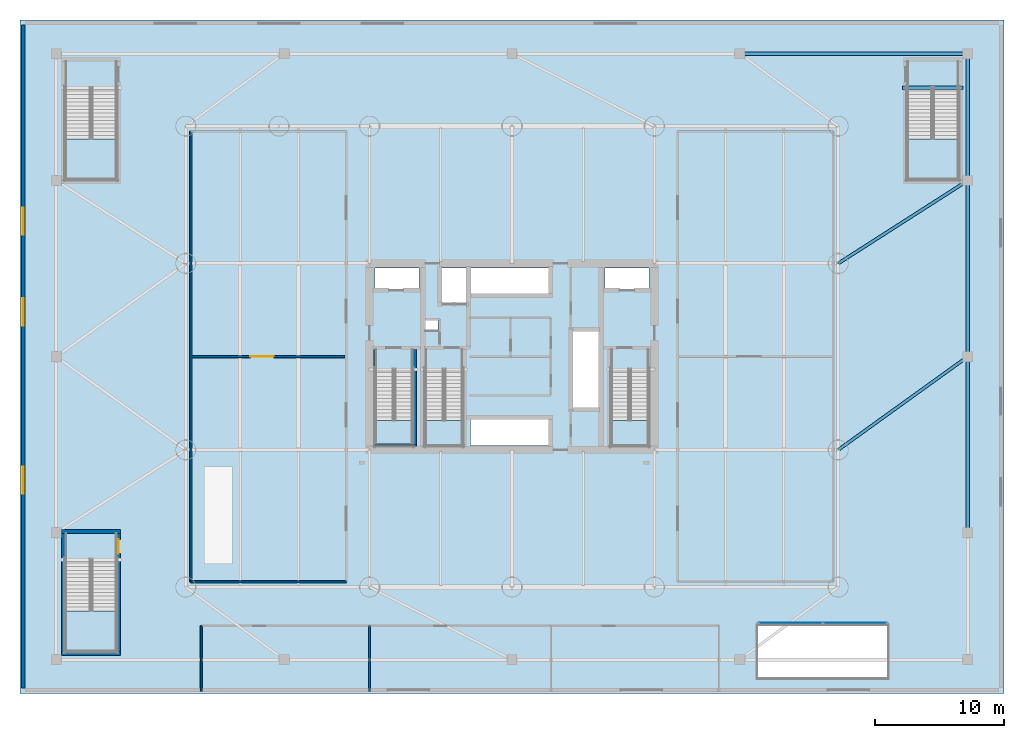
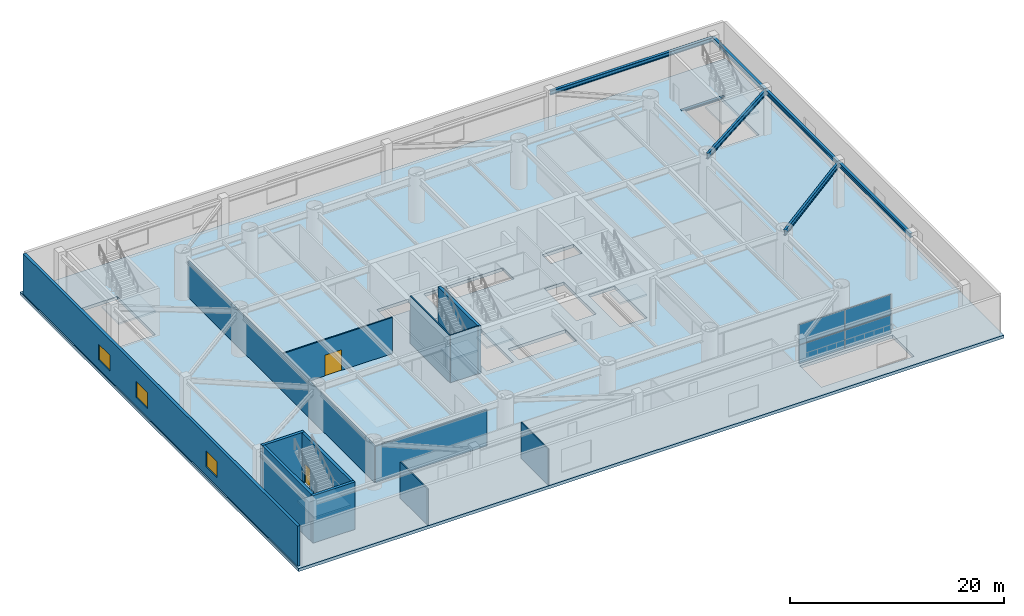
# One storey, part 5 of 16: 13 walls, 7 beams, 7 slabs, 4 plates, 3 windows, 2 doors, 5 openings, 7 elements without a shape of their own.
"""IFC4 building model written with IfcOpenShell, lengths in metres."""

from ifc_helpers import new_model, si_unit, direction, frame, frame_2d, origin, origin_2d, place, context, subcontext, project, spatial, polyline, rectangle, i_section, outline, extrude, material, layer, layer_set, material_profile, profile_set, type_object, element, fill, aggregate, save


model = new_model("IFC4")

# Units and contexts
model_context = context("Model", 3, precision=1e-05, world=origin(), true_north=direction((0.0, 1.0)))
body_context = subcontext(model_context, "Body", "Model", "MODEL_VIEW")
ifc_project = project(units=[si_unit("LENGTHUNIT", "METRE"), si_unit("AREAUNIT", "SQUARE_METRE"), si_unit("VOLUMEUNIT", "CUBIC_METRE"), si_unit("PLANEANGLEUNIT", "RADIAN"), si_unit("MASSUNIT", "GRAM", prefix="KILO")], contexts=[model_context])

# Site, building, storey
site_placement = place(None, origin())
site = spatial("IfcSite", under=ifc_project, at=site_placement, CompositionType="ELEMENT")
building_placement = place(site_placement, origin())
building = spatial("IfcBuilding", under=site, at=building_placement, Name="Bramvorn Convention Spire", CompositionType="ELEMENT")
storey_placement = place(building_placement, frame((0.0, 0.0, 6.60009765625)))
storey = spatial("IfcBuildingStorey", under=building, at=storey_placement, Name="L01", CompositionType="ELEMENT", Elevation=6.60009765625)

# Beams
ifc_material_1 = material(Name="Steel CSA G40.21 Grade 350 (350W)", Category="steel")
ifc_material_profile_1 = material_profile(ifc_material_1, i_section(OverallWidth=0.25390625, OverallDepth=0.2529296875, WebThickness=0.008544921875, FlangeThickness=0.01416015625, FilletRadius=0.011962890625, at=origin_2d()))
ifc_profile_set_1 = profile_set([ifc_material_profile_1], Name="Steel CSA G40.21 Grade 350 (350W) - W250X73")
beam_type_1 = type_object("IfcBeamType", Name="BM-W250X73", PredefinedType="BEAM", material=ifc_profile_set_1)
beam_1_placement = place(storey_placement, frame((68.169921875, 46.760009765625, -0.126708984375), z_axis=(1.0, 0.0, 0.0), x_axis=(0.0, 1.0, 0.0)))
element("IfcBeam", 1, at=beam_1_placement, inside=storey, type_object=beam_type_1, Name="L01 ST5 stair arrival header beam", PredefinedType="BEAM", context=body_context, shape_type="SweptSolid", body=[
    extrude(i_section(OverallWidth=0.25390625, OverallDepth=0.2529296875, WebThickness=0.008544921875, FlangeThickness=0.01416015625, FilletRadius=0.011962890625, at=origin_2d()), origin(), (0.0, 0.0, 1.0), 4.68017578125),
])
ifc_material_profile_2 = material_profile(ifc_material_1, i_section(OverallWidth=0.283935546875, OverallDepth=0.47607421875, WebThickness=0.014892578125, FlangeThickness=0.02392578125, FilletRadius=0.01806640625, at=origin_2d()))
ifc_profile_set_2 = profile_set([ifc_material_profile_2], Name="Steel CSA G40.21 Grade 350 (350W) - W460X158")
beam_type_2 = type_object("IfcBeamType", Name="BM-W460X158", PredefinedType="SPANDREL", material=ifc_profile_set_2)
for number, where, z_axis, x_axis, name in (
    (2, (73.199951171875, 12.39990234375, 4.81201171875), (0.0, 1.0, 0.0), (-1.0, 0.0, 0.0), "L01 podium spandrel beam 06"),
    (3, (73.199951171875, 26.0, 4.81201171875), (0.0, 1.0, 0.0), (-1.0, 0.0, 0.0), "L01 podium spandrel beam 07"),
):
    element("IfcBeam", number, at=place(storey_placement, frame(where, z_axis=z_axis, x_axis=x_axis)), inside=storey, type_object=beam_type_2, Name=name, PredefinedType="SPANDREL", context=body_context, shape_type="SweptSolid", body=[
        extrude(i_section(OverallWidth=0.283935546875, OverallDepth=0.47607421875, WebThickness=0.014892578125, FlangeThickness=0.02392578125, FilletRadius=0.01806640625, at=origin_2d()), origin(), (0.0, 0.0, 1.0), 13.60009765625),
    ])
beam_2_placement = place(storey_placement, frame((73.199951171875, 39.60009765625, 4.81201171875), z_axis=(0.0, 1.0, 0.0), x_axis=(-1.0, 0.0, 0.0)))
element("IfcBeam", 4, at=beam_2_placement, inside=storey, type_object=beam_type_2, Name="L01 podium spandrel beam 08", PredefinedType="SPANDREL", context=body_context, shape_type="SweptSolid", body=[
    extrude(i_section(OverallWidth=0.283935546875, OverallDepth=0.47607421875, WebThickness=0.014892578125, FlangeThickness=0.02392578125, FilletRadius=0.01806640625, at=origin_2d()), origin(), (0.0, 0.0, 1.0), 9.7998046875),
])
beam_3_placement = place(storey_placement, frame((73.199951171875, 49.39990234375, 4.81201171875), z_axis=(-1.0, 0.0, 0.0), x_axis=(0.0, -1.0, 0.0)))
element("IfcBeam", 5, at=beam_3_placement, inside=storey, type_object=beam_type_2, Name="L01 podium spandrel beam 09", PredefinedType="SPANDREL", context=body_context, shape_type="SweptSolid", body=[
    extrude(i_section(OverallWidth=0.283935546875, OverallDepth=0.47607421875, WebThickness=0.014892578125, FlangeThickness=0.02392578125, FilletRadius=0.01806640625, at=origin_2d()), origin(), (0.0, 0.0, 1.0), 17.599853515625),
])
ifc_material_profile_3 = material_profile(ifc_material_1, i_section(OverallWidth=0.22998046875, OverallDepth=0.616943359375, WebThickness=0.01318359375, FlangeThickness=0.022216796875, FilletRadius=0.02001953125, at=origin_2d()))
ifc_profile_set_3 = profile_set([ifc_material_profile_3], Name="Steel CSA G40.21 Grade 350 (350W) - W610X140")
beam_type_3 = type_object("IfcBeamType", Name="BM-W610X140", PredefinedType="BEAM", material=ifc_profile_set_3)
beam_4_placement = place(storey_placement, frame((63.199951171875, 18.800048828125, 4.741455078125), z_axis=(0.811536220436, 0.584302116135, 0.0), x_axis=(-0.584302116135, 0.811536220436, 0.0)))
element("IfcBeam", 6, at=beam_4_placement, inside=storey, type_object=beam_type_3, Name="L01 podium east bay girder 1", PredefinedType="BEAM", context=body_context, shape_type="SweptSolid", body=[
    extrude(i_section(OverallWidth=0.22998046875, OverallDepth=0.616943359375, WebThickness=0.01318359375, FlangeThickness=0.022216796875, FilletRadius=0.02001953125, at=origin_2d()), origin(), (0.0, 0.0, 1.0), 12.322265625),
])
beam_5_placement = place(storey_placement, frame((63.199951171875, 33.199951171875, 4.741455078125), z_axis=(0.842265798855, 0.539062449145, 0.0), x_axis=(-0.539062449145, 0.842265798855, 0.0)))
element("IfcBeam", 7, at=beam_5_placement, inside=storey, type_object=beam_type_3, Name="L01 podium east bay girder 2", PredefinedType="BEAM", context=body_context, shape_type="SweptSolid", body=[
    extrude(i_section(OverallWidth=0.22998046875, OverallDepth=0.616943359375, WebThickness=0.01318359375, FlangeThickness=0.022216796875, FilletRadius=0.02001953125, at=origin_2d()), origin(), (0.0, 0.0, 1.0), 11.872802734375),
])

# Curtain wall, plates
ifc_material_2 = material(Name="Anodised Bronze Unitised Curtain Wall", Category="aluminium")
ifc_layer_1 = layer(ifc_material_2, 0.219970703125)
ifc_layer_set_1 = layer_set([ifc_layer_1], Name="Anodised Bronze Unitised Curtain Wall - CW-POD-LANCET")
curtain_wall_type = type_object("IfcCurtainWallType", Name="CW-POD-LANCET", PredefinedType="USERDEFINED", material=ifc_layer_set_1)
curtain_wall_placement = place(storey_placement, origin())
curtain_wall = element("IfcCurtainWall", 8, at=curtain_wall_placement, inside=storey, type_object=curtain_wall_type, Name="L01 SE colonnade lancet curtain wall", ObjectType="UNITISED CURTAIN WALL", PredefinedType="USERDEFINED")
ifc_material_3 = material(Name="Laminated Low-E Glass (Acoustic Laminated Podium Triple IGU)", Category="glass")
ifc_layer_2 = layer(ifc_material_3, 0.0458984375)
ifc_layer_set_2 = layer_set([ifc_layer_2], Name="Laminated Low-E Glass (Acoustic Laminated Podium Triple IGU) - PNL-IGU-5")
plate_type = type_object("IfcPlateType", Name="PNL-IGU-5", PredefinedType="CURTAIN_PANEL", material=ifc_layer_set_2)
plate_1_placement = place(storey_placement, frame((59.514892578125, 5.449951171875, 0.06005859375), z_axis=(0.0, 0.0, 1.0), x_axis=(1.0, 0.0, 0.0)))
plate_1 = element("IfcPlate", 9, at=plate_1_placement, type_object=plate_type, Name="CW1 panel 1.1", PredefinedType="CURTAIN_PANEL", context=body_context, shape_type="SweptSolid", body=[
    extrude(rectangle(XDim=4.909912109375, YDim=0.028076171875, at=origin_2d()), origin(), (0.0, 0.0, 1.0), 2.110107421875),
])
plate_2_placement = place(storey_placement, frame((59.514892578125, 5.449951171875, 2.22998046875), z_axis=(0.0, 0.0, 1.0), x_axis=(1.0, 0.0, 0.0)))
plate_2 = element("IfcPlate", 10, at=plate_2_placement, type_object=plate_type, Name="CW1 panel 1.2", PredefinedType="CURTAIN_PANEL", context=body_context, shape_type="SweptSolid", body=[
    extrude(rectangle(XDim=4.909912109375, YDim=0.028076171875, at=origin_2d()), origin(), (0.0, 0.0, 1.0), 2.27001953125),
])
plate_3_placement = place(storey_placement, frame((64.485107421875, 5.449951171875, 0.06005859375), z_axis=(0.0, 0.0, 1.0), x_axis=(1.0, 0.0, 0.0)))
plate_3 = element("IfcPlate", 11, at=plate_3_placement, type_object=plate_type, Name="CW1 panel 2.1", PredefinedType="CURTAIN_PANEL", context=body_context, shape_type="SweptSolid", body=[
    extrude(rectangle(XDim=4.909912109375, YDim=0.028076171875, at=origin_2d()), origin(), (0.0, 0.0, 1.0), 2.110107421875),
])
plate_4_placement = place(storey_placement, frame((64.485107421875, 5.449951171875, 2.22998046875), z_axis=(0.0, 0.0, 1.0), x_axis=(1.0, 0.0, 0.0)))
plate_4 = element("IfcPlate", 12, at=plate_4_placement, type_object=plate_type, Name="CW1 panel 2.2", PredefinedType="CURTAIN_PANEL", context=body_context, shape_type="SweptSolid", body=[
    extrude(rectangle(XDim=4.909912109375, YDim=0.028076171875, at=origin_2d()), origin(), (0.0, 0.0, 1.0), 2.27001953125),
])
aggregate(curtain_wall, [plate_1, plate_2, plate_3, plate_4])

# Slab
ifc_material_4 = material(Name="Concrete C50/60", Category="concrete")
ifc_layer_3 = layer(ifc_material_4, 0.35009765625)
ifc_layer_set_3 = layer_set([ifc_layer_3], Name="Concrete C50/60 - SLB-POD-350")
slab_type_1 = type_object("IfcSlabType", Name="SLB-POD-350", PredefinedType="FLOOR", material=ifc_layer_set_3)
slab_1_placement = place(storey_placement, frame((0.0, 0.0, -0.35009765625)))
element("IfcSlab", 13, at=slab_1_placement, inside=storey, type_object=slab_type_1, Name="L01 podium composite floor slab", PredefinedType="FLOOR", context=body_context, shape_type="SweptSolid", body=[
    extrude(outline(polyline([(0.0, 0.0), (76.0, 0.0), (76.0, 52.0), (0.0, 52.0), (0.0, 0.0)]), holes=[polyline([(27.449951171875, 25.050048828125), (27.449951171875, 19.10009765625), (30.35009765625, 19.10009765625), (30.35009765625, 25.050048828125), (27.449951171875, 25.050048828125)]), polyline([(45.64990234375, 25.050048828125), (45.64990234375, 19.10009765625), (48.550048828125, 19.10009765625), (48.550048828125, 25.050048828125), (45.64990234375, 25.050048828125)]), polyline([(31.300048828125, 25.050048828125), (31.300048828125, 19.10009765625), (34.199951171875, 19.10009765625), (34.199951171875, 25.050048828125), (31.300048828125, 25.050048828125)]), polyline([(3.5, 10.35009765625), (3.5, 3.199951171875), (7.47998046875, 3.199951171875), (7.47998046875, 10.35009765625), (3.5, 10.35009765625)]), polyline([(68.52001953125, 46.800048828125), (68.52001953125, 39.64990234375), (72.5, 39.64990234375), (72.5, 46.800048828125), (68.52001953125, 46.800048828125)]), polyline([(3.5, 46.800048828125), (3.5, 39.64990234375), (7.47998046875, 39.64990234375), (7.47998046875, 46.800048828125), (3.5, 46.800048828125)]), polyline([(27.39990234375, 31.219970703125), (30.800048828125, 31.219970703125), (30.800048828125, 32.85009765625), (27.39990234375, 32.85009765625), (27.39990234375, 31.219970703125)]), polyline([(45.199951171875, 31.219970703125), (48.60009765625, 31.219970703125), (48.60009765625, 32.85009765625), (45.199951171875, 32.85009765625), (45.199951171875, 31.219970703125)]), polyline([(32.449951171875, 30.14990234375), (34.56005859375, 30.14990234375), (34.56005859375, 32.85009765625), (32.449951171875, 32.85009765625), (32.449951171875, 30.14990234375)]), polyline([(34.800048828125, 30.800048828125), (40.97998046875, 30.800048828125), (40.97998046875, 32.85009765625), (34.800048828125, 32.85009765625), (34.800048828125, 30.800048828125)]), polyline([(34.800048828125, 19.14990234375), (40.97998046875, 19.14990234375), (40.97998046875, 21.199951171875), (34.800048828125, 21.199951171875), (34.800048828125, 19.14990234375)]), polyline([(42.6201171875, 22.0), (44.75, 22.0), (44.75, 28.0), (42.6201171875, 28.0), (42.6201171875, 22.0)]), polyline([(31.320068359375, 28.02001953125), (32.280029296875, 28.02001953125), (32.280029296875, 28.820068359375), (31.320068359375, 28.820068359375), (31.320068359375, 28.02001953125)]), polyline([(57.0, 1.199951171875), (67.0, 1.199951171875), (67.0, 5.199951171875), (57.0, 5.199951171875), (57.0, 1.199951171875)])]), origin(), (0.0, 0.0, 1.0), 0.35009765625),
])

# Stair, slab
ifc_material_5 = material(Name="Concrete C40/50 Precast Stair", Category="concrete")
stair_type_1 = type_object("IfcStairType", Name="ST-TOWER-1550", PredefinedType="HALF_TURN_STAIR", material=ifc_material_5)
stair_1_placement = place(storey_placement, origin())
stair_1 = element("IfcStair", 14, at=stair_1_placement, inside=storey, type_object=stair_type_1, Name="L01 Protected Exit Stair ST1", PredefinedType="HALF_TURN_STAIR")
ifc_material_6 = material(Name="Concrete C40/50 Stair Landing", Category="concrete")
ifc_layer_4 = layer(ifc_material_6, 0.219970703125)
ifc_layer_set_4 = layer_set([ifc_layer_4], Name="Concrete C40/50 Stair Landing - SLB-STAIR-LANDING")
slab_type_2 = type_object("IfcSlabType", Name="SLB-STAIR-LANDING", PredefinedType="LANDING", material=ifc_layer_set_4)
slab_2_placement = place(storey_placement, frame((0.0, 0.0, 2.5)))
slab_2 = element("IfcSlab", 15, at=slab_2_placement, type_object=slab_type_2, Name="ST1 landing 1", PredefinedType="LANDING", context=body_context, shape_type="SweptSolid", body=[
    extrude(outline(polyline([(27.449951171875, 21.06005859375), (27.449951171875, 19.10009765625), (30.35009765625, 19.10009765625), (30.35009765625, 21.06005859375), (27.449951171875, 21.06005859375)])), origin(), (0.0, 0.0, 1.0), 0.199951171875),
])
aggregate(stair_1, [slab_2])

stair_2_placement = place(storey_placement, origin())
stair_2 = element("IfcStair", 16, at=stair_2_placement, inside=storey, type_object=stair_type_1, Name="L01 Protected Exit Stair ST2", PredefinedType="HALF_TURN_STAIR")
slab_3_placement = place(storey_placement, frame((0.0, 0.0, 2.5)))
slab_3 = element("IfcSlab", 17, at=slab_3_placement, type_object=slab_type_2, Name="ST2 landing 1", PredefinedType="LANDING", context=body_context, shape_type="SweptSolid", body=[
    extrude(outline(polyline([(45.64990234375, 21.06005859375), (45.64990234375, 19.10009765625), (48.550048828125, 19.10009765625), (48.550048828125, 21.06005859375), (45.64990234375, 21.06005859375)])), origin(), (0.0, 0.0, 1.0), 0.199951171875),
])
aggregate(stair_2, [slab_3])

stair_3_placement = place(storey_placement, origin())
stair_3 = element("IfcStair", 18, at=stair_3_placement, inside=storey, type_object=stair_type_1, Name="L01 Protected Exit Stair ST3", PredefinedType="HALF_TURN_STAIR")
slab_4_placement = place(storey_placement, frame((0.0, 0.0, 2.5)))
slab_4 = element("IfcSlab", 19, at=slab_4_placement, type_object=slab_type_2, Name="ST3 landing 1", PredefinedType="LANDING", context=body_context, shape_type="SweptSolid", body=[
    extrude(outline(polyline([(31.300048828125, 21.06005859375), (31.300048828125, 19.10009765625), (34.199951171875, 19.10009765625), (34.199951171875, 21.06005859375), (31.300048828125, 21.06005859375)])), origin(), (0.0, 0.0, 1.0), 0.199951171875),
])
aggregate(stair_3, [slab_4])

ifc_material_7 = material(Name="Concrete C40/50 Grand Exit Stair", Category="concrete")
stair_type_2 = type_object("IfcStairType", Name="ST-PODIUM-1950", PredefinedType="HALF_TURN_STAIR", material=ifc_material_7)
stair_4_placement = place(storey_placement, origin())
stair_4 = element("IfcStair", 20, at=stair_4_placement, inside=storey, type_object=stair_type_2, Name="L01 Protected Exit Stair ST4", PredefinedType="HALF_TURN_STAIR")
slab_5_placement = place(storey_placement, frame((0.0, 0.0, 2.5)))
slab_5 = element("IfcSlab", 21, at=slab_5_placement, type_object=slab_type_2, Name="ST4 landing 1", PredefinedType="LANDING", context=body_context, shape_type="SweptSolid", body=[
    extrude(outline(polyline([(3.5, 6.360107421875), (3.5, 3.199951171875), (7.47998046875, 3.199951171875), (7.47998046875, 6.360107421875), (3.5, 6.360107421875)])), origin(), (0.0, 0.0, 1.0), 0.199951171875),
])
aggregate(stair_4, [slab_5])

stair_5_placement = place(storey_placement, origin())
stair_5 = element("IfcStair", 22, at=stair_5_placement, inside=storey, type_object=stair_type_2, Name="L01 Protected Exit Stair ST5", PredefinedType="HALF_TURN_STAIR")
slab_6_placement = place(storey_placement, frame((0.0, 0.0, 2.5)))
slab_6 = element("IfcSlab", 23, at=slab_6_placement, type_object=slab_type_2, Name="ST5 landing 1", PredefinedType="LANDING", context=body_context, shape_type="SweptSolid", body=[
    extrude(outline(polyline([(68.52001953125, 42.81005859375), (68.52001953125, 39.64990234375), (72.5, 39.64990234375), (72.5, 42.81005859375), (68.52001953125, 42.81005859375)])), origin(), (0.0, 0.0, 1.0), 0.199951171875),
])
aggregate(stair_5, [slab_6])

stair_6_placement = place(storey_placement, origin())
stair_6 = element("IfcStair", 24, at=stair_6_placement, inside=storey, type_object=stair_type_2, Name="L01 Protected Exit Stair ST6", PredefinedType="HALF_TURN_STAIR")
slab_7_placement = place(storey_placement, frame((0.0, 0.0, 2.5)))
slab_7 = element("IfcSlab", 25, at=slab_7_placement, type_object=slab_type_2, Name="ST6 landing 1", PredefinedType="LANDING", context=body_context, shape_type="SweptSolid", body=[
    extrude(outline(polyline([(3.5, 42.81005859375), (3.5, 39.64990234375), (7.47998046875, 39.64990234375), (7.47998046875, 42.81005859375), (3.5, 42.81005859375)])), origin(), (0.0, 0.0, 1.0), 0.199951171875),
])
aggregate(stair_6, [slab_7])

# Wall, openings, windows
ifc_material_8 = material(Name="Precast Concrete C40/50 with Bronze Terracotta Rainscreen", Category="masonry")
ifc_layer_5 = layer(ifc_material_8, 0.300048828125)
ifc_layer_set_5 = layer_set([ifc_layer_5], Name="Precast Concrete C40/50 with Bronze Terracotta Rainscreen - WL-EXT-BRONZE-300")
wall_type_1 = type_object("IfcWallType", Name="WL-EXT-BRONZE-300", PredefinedType="SOLIDWALL", material=ifc_layer_set_5)
wall_1_placement = place(storey_placement, frame((0.25, 0.39990234375, 0.0), z_axis=(0.0, 0.0, 1.0), x_axis=(0.0, 1.0, 0.0)))
wall_1 = element("IfcWall", 26, at=wall_1_placement, inside=storey, type_object=wall_type_1, Name="L01 West podium bronze facade wall", PredefinedType="SOLIDWALL", context=body_context, shape_type="SweptSolid", body=[
    extrude(rectangle(XDim=51.2001953125, YDim=0.300048828125, at=frame_2d((25.60009765625, 0.0))), origin(), (0.0, 0.0, 1.0), 4.559814453125),
])
opening_1_placement = place(wall_1_placement, frame((15.0, 0.0, 1.0)))
opening_1 = element("IfcOpeningElement", 27, at=opening_1_placement, cuts=wall_1, Name="Opening WN04", PredefinedType="OPENING", context=body_context, shape_type="SweptSolid", body=[
    extrude(rectangle(XDim=2.10009765625, YDim=1.800048828125, at=frame_2d((1.050048828125, 0.89990234375))), frame((0.0, 0.159912109375, 0.0), z_axis=(0.0, -1.0, 0.0), x_axis=(1.0, 0.0, 0.0)), (0.0, 0.0, 1.0), 0.320068359375),
])
opening_2_placement = place(wall_1_placement, frame((28.0, 0.0, 1.0)))
opening_2 = element("IfcOpeningElement", 28, at=opening_2_placement, cuts=wall_1, Name="Opening WN04", PredefinedType="OPENING", context=body_context, shape_type="SweptSolid", body=[
    extrude(rectangle(XDim=2.10009765625, YDim=1.800048828125, at=frame_2d((1.050048828125, 0.89990234375))), frame((0.0, 0.159912109375, 0.0), z_axis=(0.0, -1.0, 0.0), x_axis=(1.0, 0.0, 0.0)), (0.0, 0.0, 1.0), 0.320068359375),
])
opening_3_placement = place(wall_1_placement, frame((35.0, 0.0, 1.0)))
opening_3 = element("IfcOpeningElement", 29, at=opening_3_placement, cuts=wall_1, Name="Opening WN04", PredefinedType="OPENING", context=body_context, shape_type="SweptSolid", body=[
    extrude(rectangle(XDim=2.10009765625, YDim=1.800048828125, at=frame_2d((1.050048828125, 0.89990234375))), frame((0.0, 0.159912109375, 0.0), z_axis=(0.0, -1.0, 0.0), x_axis=(1.0, 0.0, 0.0)), (0.0, 0.0, 1.0), 0.320068359375),
])
ifc_material_9 = material(Name="Thermally Broken Bronze Aluminium & Triple Low-E Glass", Category="aluminium")
window_type = type_object("IfcWindowType", Name="WN-OP-2100X1800", PartitioningType="SINGLE_PANEL", PredefinedType="WINDOW", material=ifc_material_9)
window_1_placement = place(opening_1_placement, origin())
window_1 = element("IfcWindow", 30, at=window_1_placement, inside=storey, type_object=window_type, Name="L01 West operable window 1", OverallHeight=1.800048828125, OverallWidth=2.10009765625, PartitioningType="SINGLE_PANEL", PredefinedType="WINDOW", context=body_context, shape_type="SweptSolid", body=[
    extrude(rectangle(XDim=2.10009765625, YDim=1.800048828125, at=frame_2d((1.050048828125, 0.89990234375))), frame((0.0, 0.030029296875, 0.0), z_axis=(0.0, -1.0, 0.0), x_axis=(1.0, 0.0, 0.0)), (0.0, 0.0, 1.0), 0.06005859375),
])
fill(opening_1, window_1)
window_2_placement = place(opening_2_placement, origin())
window_2 = element("IfcWindow", 31, at=window_2_placement, inside=storey, type_object=window_type, Name="L01 West operable window 2", OverallHeight=1.800048828125, OverallWidth=2.10009765625, PartitioningType="SINGLE_PANEL", PredefinedType="WINDOW", context=body_context, shape_type="SweptSolid", body=[
    extrude(rectangle(XDim=2.10009765625, YDim=1.800048828125, at=frame_2d((1.050048828125, 0.89990234375))), frame((0.0, 0.030029296875, 0.0), z_axis=(0.0, -1.0, 0.0), x_axis=(1.0, 0.0, 0.0)), (0.0, 0.0, 1.0), 0.06005859375),
])
fill(opening_2, window_2)
window_3_placement = place(opening_3_placement, origin())
window_3 = element("IfcWindow", 32, at=window_3_placement, inside=storey, type_object=window_type, Name="L01 West operable window 3", OverallHeight=1.800048828125, OverallWidth=2.10009765625, PartitioningType="SINGLE_PANEL", PredefinedType="WINDOW", context=body_context, shape_type="SweptSolid", body=[
    extrude(rectangle(XDim=2.10009765625, YDim=1.800048828125, at=frame_2d((1.050048828125, 0.89990234375))), frame((0.0, 0.030029296875, 0.0), z_axis=(0.0, -1.0, 0.0), x_axis=(1.0, 0.0, 0.0)), (0.0, 0.0, 1.0), 0.06005859375),
])
fill(opening_3, window_3)

# Wall, opening, door
ifc_material_10 = material(Name="Motorised Operable Acoustic Hall Partition", Category="gypsum")
ifc_layer_6 = layer(ifc_material_10, 0.139892578125)
ifc_layer_set_6 = layer_set([ifc_layer_6], Name="Motorised Operable Acoustic Hall Partition - WL-MOVABLE-140")
wall_type_2 = type_object("IfcWallType", Name="WL-MOVABLE-140", PredefinedType="MOVABLE", material=ifc_layer_set_6)
wall_2_placement = place(storey_placement, frame((13.300048828125, 26.0, 0.0), z_axis=(0.0, 0.0, 1.0), x_axis=(1.0, 0.0, 0.0)))
wall_2 = element("IfcWall", 33, at=wall_2_placement, inside=storey, type_object=wall_type_2, Name="L01 Operable hall wall W", PredefinedType="MOVABLE", context=body_context, shape_type="SweptSolid", body=[
    extrude(rectangle(XDim=11.800048828125, YDim=0.139892578125, at=frame_2d((5.89990234375, 0.0))), origin(), (0.0, 0.0, 1.0), 4.10986328125),
])
opening_4_placement = place(wall_2_placement, frame((4.5, 0.0, 0.0)))
opening_4 = element("IfcOpeningElement", 34, at=opening_4_placement, cuts=wall_2, Name="Opening DH-180", PredefinedType="OPENING", context=body_context, shape_type="SweptSolid", body=[
    extrude(rectangle(XDim=1.800048828125, YDim=2.35009765625, at=frame_2d((0.89990234375, 1.175048828125))), frame((0.0, 0.079833984375, 0.0), z_axis=(0.0, -1.0, 0.0), x_axis=(1.0, 0.0, 0.0)), (0.0, 0.0, 1.0), 0.159912109375),
])
ifc_material_11 = material(Name="Double-Leaf Acoustic Assembly Hall Door", Category="wood")
door_type_1 = type_object("IfcDoorType", Name="DR-HALL-1800", OperationType="NOTDEFINED", PredefinedType="DOOR", material=ifc_material_11)
door_1_placement = place(opening_4_placement, origin())
door_1 = element("IfcDoor", 35, at=door_1_placement, inside=storey, type_object=door_type_1, Name="L01 Operable pass door W", OperationType="DOUBLE_DOOR_SINGLE_SWING", OverallHeight=2.35009765625, OverallWidth=1.800048828125, PredefinedType="DOOR", context=body_context, shape_type="SweptSolid", body=[
    extrude(rectangle(XDim=1.800048828125, YDim=2.35009765625, at=frame_2d((0.89990234375, 1.175048828125))), frame((0.0, 0.02490234375, 0.0), z_axis=(0.0, -1.0, 0.0), x_axis=(1.0, 0.0, 0.0)), (0.0, 0.0, 1.0), 0.050048828125),
])
fill(opening_4, door_1)

# Walls
ifc_material_12 = material(Name="Metal-Stud Demountable Office Partition", Category="gypsum")
ifc_layer_7 = layer(ifc_material_12, 0.1298828125)
ifc_layer_set_7 = layer_set([ifc_layer_7], Name="Metal-Stud Demountable Office Partition - WL-PART-130")
wall_type_3 = type_object("IfcWallType", Name="WL-PART-130", PredefinedType="PARTITIONING", material=ifc_layer_set_7)
for number, where, z_axis, x_axis, name in (
    (36, (14.0, 0.139892578125, 0.0), (0.0, 0.0, 1.0), (0.0, 1.0, 0.0), "L01 South divider 14"),
    (37, (27.0, 0.139892578125, 0.0), (0.0, 0.0, 1.0), (0.0, 1.0, 0.0), "L01 South divider 27"),
):
    element("IfcWall", number, at=place(storey_placement, frame(where, z_axis=z_axis, x_axis=x_axis)), inside=storey, type_object=wall_type_3, Name=name, PredefinedType="PARTITIONING", context=body_context, shape_type="SweptSolid", body=[
        extrude(rectangle(XDim=5.06005859375, YDim=0.1298828125, at=frame_2d((2.530029296875, 0.0))), origin(), (0.0, 0.0, 1.0), 4.10986328125),
    ])
ifc_material_13 = material(Name="Acoustic Metal-Stud Tenant/Corridor Partition", Category="gypsum")
ifc_layer_8 = layer(ifc_material_13, 0.14990234375)
ifc_layer_set_8 = layer_set([ifc_layer_8], Name="Acoustic Metal-Stud Tenant/Corridor Partition - WL-PART-150")
wall_type_4 = type_object("IfcWallType", Name="WL-PART-150", PredefinedType="PARTITIONING", material=ifc_layer_set_8)
wall_3_placement = place(storey_placement, frame((13.199951171875, 8.60009765625, 0.0), z_axis=(0.0, 0.0, 1.0), x_axis=(1.0, 0.0, 0.0)))
element("IfcWall", 38, at=wall_3_placement, inside=storey, type_object=wall_type_4, Name="L01 West Hall south wall", PredefinedType="PARTITIONING", context=body_context, shape_type="SweptSolid", body=[
    extrude(rectangle(XDim=12.0, YDim=0.14990234375, at=frame_2d((6.0, 0.0))), origin(), (0.0, 0.0, 1.0), 4.10986328125),
])
wall_4_placement = place(storey_placement, frame((13.199951171875, 8.60009765625, 0.0), z_axis=(0.0, 0.0, 1.0), x_axis=(0.0, 1.0, 0.0)))
element("IfcWall", 39, at=wall_4_placement, inside=storey, type_object=wall_type_4, Name="L01 West Hall outer gallery wall", PredefinedType="PARTITIONING", context=body_context, shape_type="SweptSolid", body=[
    extrude(rectangle(XDim=34.7998046875, YDim=0.14990234375, at=frame_2d((17.39990234375, 0.0))), origin(), (0.0, 0.0, 1.0), 4.10986328125),
])
ifc_layer_9 = layer(ifc_material_4, 0.300048828125)
ifc_layer_set_9 = layer_set([ifc_layer_9], Name="Concrete C50/60 - WL-POD-STAIR-300")
wall_type_5 = type_object("IfcWallType", Name="WL-POD-STAIR-300", PredefinedType="SHEAR", material=ifc_layer_set_9)
wall_5_placement = place(storey_placement, frame((30.489990234375, 19.050048828125, 0.0), z_axis=(0.0, 0.0, 1.0), x_axis=(0.0, 1.0, 0.0)))
element("IfcWall", 40, at=wall_5_placement, inside=storey, type_object=wall_type_5, Name="L01 ST1 east bearing wall", PredefinedType="SHEAR", context=body_context, shape_type="SweptSolid", body=[
    extrude(rectangle(XDim=7.5, YDim=0.300048828125, at=frame_2d((3.75, 0.0))), origin(), (0.0, 0.0, 1.0), 5.39990234375),
])
for number, where, z_axis, x_axis, name in (
    (41, (3.2099609375, 3.06005859375, 0.0), (0.0, 0.0, 1.0), (1.0, 0.0, 0.0), "L01 ST4 south shaft wall"),
    (42, (3.2099609375, 12.489990234375, 0.0), (0.0, 0.0, 1.0), (1.0, 0.0, 0.0), "L01 ST4 north shaft wall"),
):
    element("IfcWall", number, at=place(storey_placement, frame(where, z_axis=z_axis, x_axis=x_axis)), inside=storey, type_object=wall_type_5, Name=name, PredefinedType="SHEAR", context=body_context, shape_type="SweptSolid", body=[
        extrude(rectangle(XDim=4.56005859375, YDim=0.300048828125, at=frame_2d((2.280029296875, 0.0))), origin(), (0.0, 0.0, 1.0), 5.39990234375),
    ])
wall_6_placement = place(storey_placement, frame((3.360107421875, 3.2099609375, 0.0), z_axis=(0.0, 0.0, 1.0), x_axis=(0.0, 1.0, 0.0)))
element("IfcWall", 43, at=wall_6_placement, inside=storey, type_object=wall_type_5, Name="L01 ST4 west shaft wall", PredefinedType="SHEAR", context=body_context, shape_type="SweptSolid", body=[
    extrude(rectangle(XDim=9.130126953125, YDim=0.300048828125, at=frame_2d((4.56494140625, 0.0))), origin(), (0.0, 0.0, 1.0), 5.39990234375),
])

# Wall, opening, door
wall_7_placement = place(storey_placement, frame((7.6201171875, 12.340087890625, 0.0), z_axis=(0.0, 0.0, 1.0), x_axis=(0.0, -1.0, 0.0)))
wall_7 = element("IfcWall", 44, at=wall_7_placement, inside=storey, type_object=wall_type_5, Name="L01 ST4 east shaft wall", PredefinedType="SHEAR", context=body_context, shape_type="SweptSolid", body=[
    extrude(rectangle(XDim=9.130126953125, YDim=0.300048828125, at=frame_2d((4.56494140625, 0.0))), origin(), (0.0, 0.0, 1.0), 5.39990234375),
])
opening_5_placement = place(wall_7_placement, frame((0.449951171875, 0.0, 0.0)))
opening_5 = element("IfcOpeningElement", 45, at=opening_5_placement, cuts=wall_7, Name="Opening DS-110", PredefinedType="OPENING", context=body_context, shape_type="SweptSolid", body=[
    extrude(rectangle(XDim=1.10009765625, YDim=2.14990234375, at=frame_2d((0.550048828125, 1.074951171875))), frame((0.0, 0.159912109375, 0.0), z_axis=(0.0, -1.0, 0.0), x_axis=(1.0, 0.0, 0.0)), (0.0, 0.0, 1.0), 0.320068359375),
])
ifc_material_14 = material(Name="Fire-Rated Hollow Steel Stairwell Door", Category="steel")
door_type_2 = type_object("IfcDoorType", Name="DR-STAIR-1100", OperationType="NOTDEFINED", PredefinedType="DOOR", material=ifc_material_14)
door_2_placement = place(opening_5_placement, origin())
door_2 = element("IfcDoor", 46, at=door_2_placement, inside=storey, type_object=door_type_2, Name="L01 ST4 exit stairwell door", OperationType="SINGLE_SWING_LEFT", OverallHeight=2.14990234375, OverallWidth=1.10009765625, PredefinedType="DOOR", context=body_context, shape_type="SweptSolid", body=[
    extrude(rectangle(XDim=1.10009765625, YDim=2.14990234375, at=frame_2d((0.550048828125, 1.074951171875))), frame((0.0, 0.02490234375, 0.0), z_axis=(0.0, -1.0, 0.0), x_axis=(1.0, 0.0, 0.0)), (0.0, 0.0, 1.0), 0.050048828125),
])
fill(opening_5, door_2)

# Walls
ifc_layer_10 = layer(ifc_material_4, 0.1201171875)
ifc_layer_set_10 = layer_set([ifc_layer_10], Name="Concrete C50/60 - WL-STAIR-RC-120")
wall_type_6 = type_object("IfcWallType", Name="WL-STAIR-RC-120", PredefinedType="SHEAR", material=ifc_layer_set_10)
wall_8_placement = place(storey_placement, frame((27.39501953125, 19.10009765625, 0.0), z_axis=(0.0, 0.0, 1.0), x_axis=(0.0, 1.0, 0.0)))
element("IfcWall", 47, at=wall_8_placement, inside=storey, type_object=wall_type_6, Name="L01 ST1 west bearing shear wall", PredefinedType="SHEAR", context=body_context, shape_type="SweptSolid", body=[
    extrude(rectangle(XDim=7.449951171875, YDim=0.1201171875, at=frame_2d((3.72509765625, 0.0))), origin(), (0.0, 0.0, 1.0), 5.39990234375),
])
wall_9_placement = place(storey_placement, frame((27.39501953125, 19.159912109375, 0.0), z_axis=(0.0, 0.0, 1.0), x_axis=(1.0, 0.0, 0.0)))
element("IfcWall", 48, at=wall_9_placement, inside=storey, type_object=wall_type_6, Name="L01 ST1 south bearing shear wall", PredefinedType="SHEAR", context=body_context, shape_type="SweptSolid", body=[
    extrude(rectangle(XDim=3.094970703125, YDim=0.1201171875, at=frame_2d((1.54736328125, 0.0))), origin(), (0.0, 0.0, 1.0), 5.39990234375),
])

save(model, "model.ifc")
